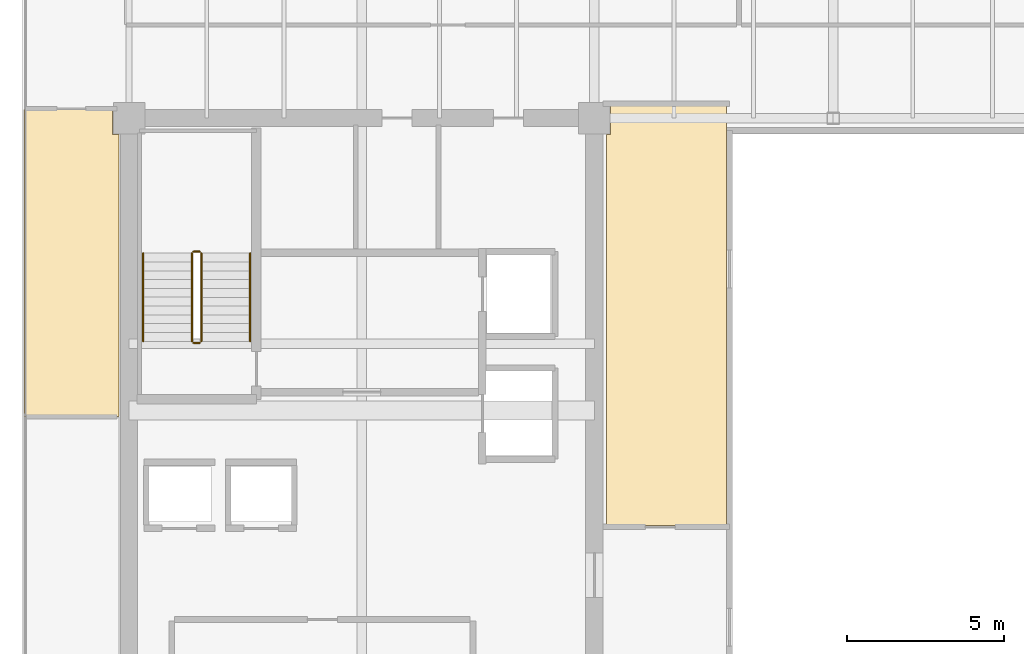
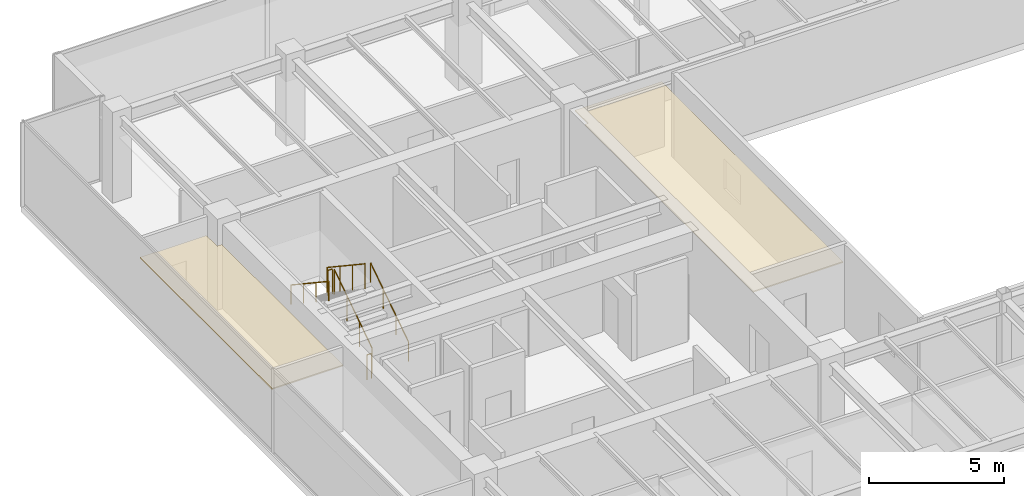
# One storey, part 33 of 36: 6 railings, 2 coverings.
"""IFC4 building model written with IfcOpenShell, lengths in metres."""

from ifc_helpers import new_model, si_unit, direction, frame, origin, origin_2d, place, context, subcontext, project, spatial, polyline, circle, outline, extrude, source, transform, mapped, material, layer, layer_set, type_object, type_shapes, element, save


model = new_model("IFC4")

# Units and contexts
model_context = context("Model", 3, precision=1e-05, world=origin(), true_north=direction((0.0, 1.0)))
body_context = subcontext(model_context, "Body", "Model", "MODEL_VIEW")
ifc_project = project(units=[si_unit("LENGTHUNIT", "METRE"), si_unit("AREAUNIT", "SQUARE_METRE"), si_unit("VOLUMEUNIT", "CUBIC_METRE"), si_unit("PLANEANGLEUNIT", "RADIAN"), si_unit("MASSUNIT", "GRAM", prefix="KILO")], contexts=[model_context])

# Site, building, storey
site_placement = place(None, origin())
site = spatial("IfcSite", under=ifc_project, at=site_placement, CompositionType="ELEMENT")
building_placement = place(site_placement, origin())
building = spatial("IfcBuilding", under=site, at=building_placement, Name="Haelvirn Gate Laboratories", CompositionType="ELEMENT")
storey_placement = place(building_placement, frame((0.0, 0.0, 262.89990234375)))
storey = spatial("IfcBuildingStorey", under=building, at=storey_placement, Name="L63", CompositionType="ELEMENT", Elevation=262.89990234375)

# Coverings
ifc_material_1 = material(Name="Washable cleanroom gasketed aluminium ceiling", Category="aluminium")
ifc_layer = layer(ifc_material_1, 0.050048828125, Name="COV-CEIL-CLN")
ifc_layer_set = layer_set([ifc_layer], Name="Washable cleanroom gasketed aluminium ceiling")
covering_type = type_object("IfcCoveringType", Name="COV-CEIL-CLN", PredefinedType="CEILING", material=ifc_layer_set)
covering_1_placement = place(storey_placement, frame((0.0, 0.0, 2.8701171875)))
element("IfcCovering", 1, at=covering_1_placement, inside=storey, type_object=covering_type, Name="L63 Laboratory Acoustic Ceiling CEIL-SP-L63-WATRIUM-POD", PredefinedType="CEILING", context=body_context, shape_type="SweptSolid", body=[
    extrude(outline(polyline([(26.409912109375, 34.239990234375), (26.409912109375, 20.840087890625), (22.590087890625, 20.840087890625), (22.590087890625, 33.280029296875), (22.719970703125, 33.280029296875), (22.719970703125, 34.239990234375), (26.409912109375, 34.239990234375)])), origin(), (0.0, 0.0, 1.0), 0.050048828125),
])
covering_2_placement = place(storey_placement, frame((0.0, 0.0, 2.8701171875)))
element("IfcCovering", 2, at=covering_2_placement, inside=storey, type_object=covering_type, Name="L63 Laboratory Acoustic Ceiling CEIL-SP-L63-WZ3-N", PredefinedType="CEILING", context=body_context, shape_type="SweptSolid", body=[
    extrude(outline(polyline([(6.8798828125, 34.074951171875), (6.8798828125, 33.280029296875), (7.080078125, 33.280029296875), (7.080078125, 24.31005859375), (4.050048828125, 24.31005859375), (4.050048828125, 34.074951171875), (6.8798828125, 34.074951171875)])), origin(), (0.0, 0.0, 1.0), 0.050048828125),
])

# Railings
ifc_material_2 = material(Name="Galvanised steel SM355 & stainless top rail", Category="steel")
railing_type_1 = type_object("IfcRailingType", Name="RL-GUARD-1150", PredefinedType="GUARDRAIL", material=ifc_material_2)
shared_shape_1 = source(origin(), body_context, "Body", "SweptSolid", [
    extrude(circle(Radius=0.02392578125, at=origin_2d()), frame((0.0, 0.0, 1.1259765625), z_axis=(-1.0, 0.0, 0.0), x_axis=(0.0, -1.0, 0.0)), (0.0, 0.0, 1.0), 0.199951171875),
    extrude(circle(Radius=0.02099609375, at=origin_2d()), origin(), (0.0, 0.0, 1.0), 1.101806640625),
    extrude(circle(Radius=0.02099609375, at=origin_2d()), frame((-0.199951171875, 0.0, 0.0)), (0.0, 0.0, 1.0), 1.101806640625),
])
for number, where, name in (
    (3, (9.64990234375, 29.550048828125, 2.050048828125), "L63 ST1 stair guard 2"),
    (4, (9.64990234375, 26.64990234375, 0.0), "L63 ST1 stair guard 4"),
):
    element("IfcRailing", number, at=place(storey_placement, frame(where)), inside=storey, type_object=railing_type_1, Name=name, PredefinedType="GUARDRAIL", context=body_context, shape_type="MappedRepresentation", body=[
        mapped(shared_shape_1, transform((0.0, 0.0, 0.0), scale=1.0)),
    ])
shared_shape_2 = source(origin(), body_context, "Body", "SweptSolid", [
    extrude(circle(Radius=0.02392578125, at=origin_2d()), frame((0.0, 0.0, 1.1259765625), z_axis=(0.0, 0.832485552168, 0.554046753832), x_axis=(-1.0, 0.0, 0.0)), (0.0, 0.0, 1.0), 3.363525390625),
    extrude(circle(Radius=0.02099609375, at=origin_2d()), origin(), (0.0, 0.0, 1.0), 1.101806640625),
    extrude(circle(Radius=0.02099609375, at=origin_2d()), frame((0.0, 0.933349609375, 0.62109375)), (0.0, 0.0, 1.0), 1.101806640625),
    extrude(circle(Radius=0.02099609375, at=origin_2d()), frame((0.0, 1.86669921875, 1.242431640625)), (0.0, 0.0, 1.0), 1.101806640625),
    extrude(circle(Radius=0.02099609375, at=origin_2d()), frame((0.0, 2.800048828125, 1.863525390625)), (0.0, 0.0, 1.0), 1.101806640625),
])
railing_1_placement = place(storey_placement, frame((9.699951171875, 26.699951171875, 0.1865234375)))
element("IfcRailing", 5, at=railing_1_placement, inside=storey, type_object=railing_type_1, Name="L63 ST1 stair guard 1", PredefinedType="GUARDRAIL", context=body_context, shape_type="MappedRepresentation", body=[
    mapped(shared_shape_2, transform((0.0, 0.0, 0.0), scale=1.0)),
])
ifc_material_3 = material(Name="Brushed stainless steel 316L", Category="steel")
railing_type_2 = type_object("IfcRailingType", Name="RL-HAND-920", PredefinedType="HANDRAIL", material=ifc_material_3)
shared_shape_3 = source(origin(), body_context, "Body", "SweptSolid", [
    extrude(circle(Radius=0.02392578125, at=origin_2d()), frame((0.0, 0.0, 0.8759765625), z_axis=(0.0, 0.832485552168, 0.554046753832), x_axis=(-1.0, 0.0, 0.0)), (0.0, 0.0, 1.0), 3.363525390625),
    extrude(circle(Radius=0.02099609375, at=origin_2d()), origin(), (0.0, 0.0, 1.0), 0.851806640625),
    extrude(circle(Radius=0.02099609375, at=origin_2d()), frame((0.0, 0.933349609375, 0.62109375)), (0.0, 0.0, 1.0), 0.851806640625),
    extrude(circle(Radius=0.02099609375, at=origin_2d()), frame((0.0, 1.86669921875, 1.242431640625)), (0.0, 0.0, 1.0), 0.851806640625),
    extrude(circle(Radius=0.02099609375, at=origin_2d()), frame((0.0, 2.800048828125, 1.863525390625)), (0.0, 0.0, 1.0), 0.851806640625),
])
railing_2_placement = place(storey_placement, frame((11.25, 26.699951171875, 0.1865234375)))
element("IfcRailing", 6, at=railing_2_placement, inside=storey, type_object=railing_type_2, Name="L63 ST1 stair handrail 1", PredefinedType="HANDRAIL", context=body_context, shape_type="MappedRepresentation", body=[
    mapped(shared_shape_3, transform((0.0, 0.0, 0.0), scale=1.0)),
])
shared_shape_4 = source(origin(), body_context, "Body", "SweptSolid", [
    extrude(circle(Radius=0.02392578125, at=origin_2d()), frame((0.0, 0.0, 1.1259765625), z_axis=(0.0, -0.832485552168, 0.554046753832), x_axis=(1.0, 0.0, 0.0)), (0.0, 0.0, 1.0), 3.363525390625),
    extrude(circle(Radius=0.02099609375, at=origin_2d()), origin(), (0.0, 0.0, 1.0), 1.101806640625),
    extrude(circle(Radius=0.02099609375, at=origin_2d()), frame((0.0, -0.933349609375, 0.62109375)), (0.0, 0.0, 1.0), 1.101806640625),
    extrude(circle(Radius=0.02099609375, at=origin_2d()), frame((0.0, -1.86669921875, 1.242431640625)), (0.0, 0.0, 1.0), 1.101806640625),
    extrude(circle(Radius=0.02099609375, at=origin_2d()), frame((0.0, -2.800048828125, 1.863525390625)), (0.0, 0.0, 1.0), 1.101806640625),
])
type_shapes(railing_type_1, [shared_shape_1, shared_shape_2, shared_shape_4])
railing_3_placement = place(storey_placement, frame((9.39990234375, 29.5, 2.236572265625)))
element("IfcRailing", 7, at=railing_3_placement, inside=storey, type_object=railing_type_1, Name="L63 ST1 stair guard 3", PredefinedType="GUARDRAIL", context=body_context, shape_type="MappedRepresentation", body=[
    mapped(shared_shape_4, transform((0.0, 0.0, 0.0), scale=1.0)),
])
shared_shape_5 = source(origin(), body_context, "Body", "SweptSolid", [
    extrude(circle(Radius=0.02392578125, at=origin_2d()), frame((0.0, 0.0, 0.8759765625), z_axis=(0.0, -0.832485552168, 0.554046753832), x_axis=(1.0, 0.0, 0.0)), (0.0, 0.0, 1.0), 3.363525390625),
    extrude(circle(Radius=0.02099609375, at=origin_2d()), origin(), (0.0, 0.0, 1.0), 0.851806640625),
    extrude(circle(Radius=0.02099609375, at=origin_2d()), frame((0.0, -0.933349609375, 0.62109375)), (0.0, 0.0, 1.0), 0.851806640625),
    extrude(circle(Radius=0.02099609375, at=origin_2d()), frame((0.0, -1.86669921875, 1.242431640625)), (0.0, 0.0, 1.0), 0.851806640625),
    extrude(circle(Radius=0.02099609375, at=origin_2d()), frame((0.0, -2.800048828125, 1.863525390625)), (0.0, 0.0, 1.0), 0.851806640625),
])
type_shapes(railing_type_2, [shared_shape_3, shared_shape_5])
railing_4_placement = place(storey_placement, frame((7.85009765625, 29.5, 2.236572265625)))
element("IfcRailing", 8, at=railing_4_placement, inside=storey, type_object=railing_type_2, Name="L63 ST1 stair handrail 2", PredefinedType="HANDRAIL", context=body_context, shape_type="MappedRepresentation", body=[
    mapped(shared_shape_5, transform((0.0, 0.0, 0.0), scale=1.0)),
])

save(model, "model.ifc")
